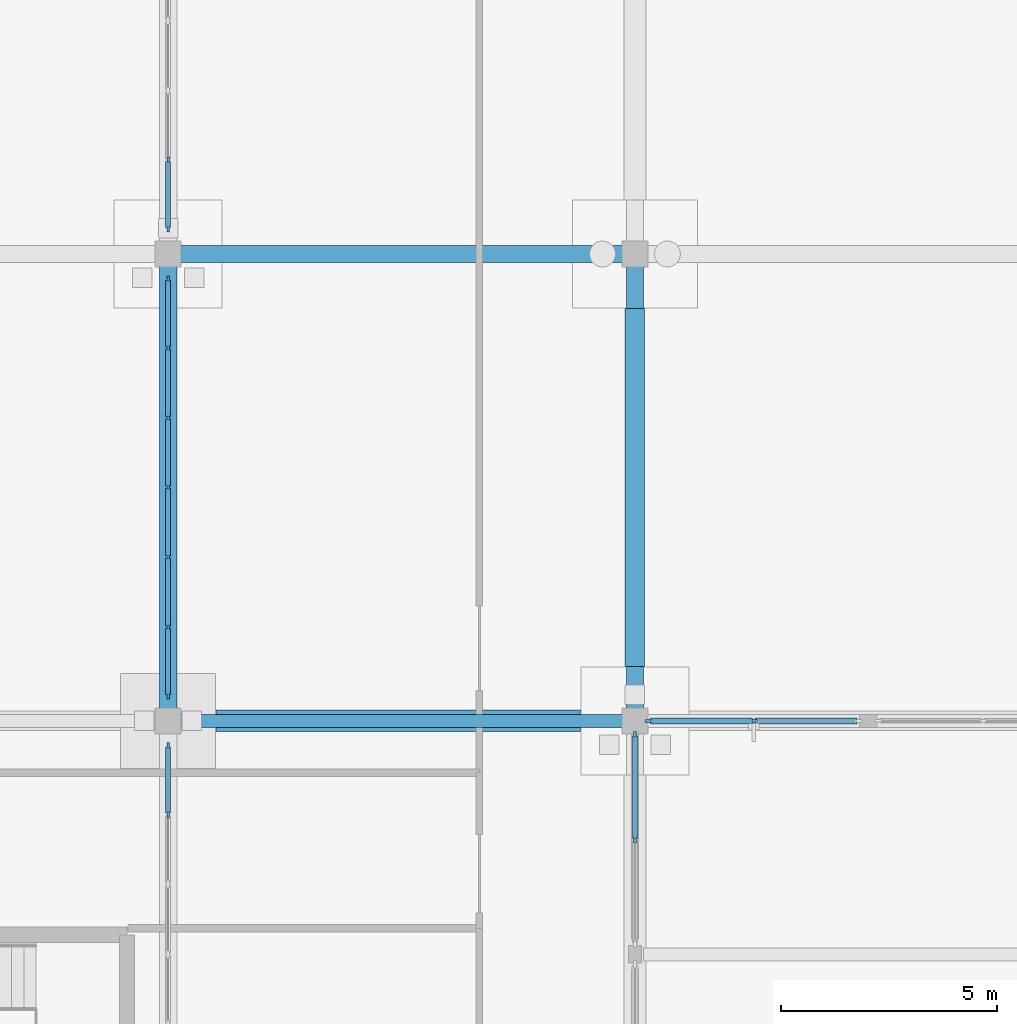
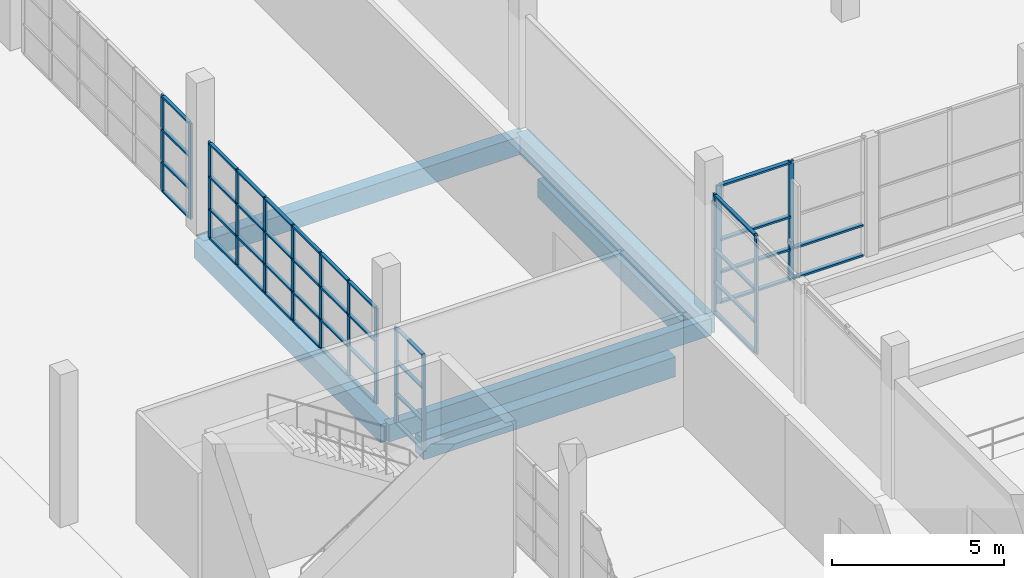
# One storey, part 43 of 138: 57 members, 6 beams, 5 elements without a shape of their own.
"""IFC4 building model written with IfcOpenShell, lengths in metres."""

from ifc_helpers import new_model, si_unit, direction, frame, origin, origin_2d, place, context, subcontext, project, spatial, rectangle, extrude, material, material_profile, profile_set, type_object, element, aggregate, save


model = new_model("IFC4")

# Units and contexts
model_context = context("Model", 3, precision=1e-05, world=origin(), true_north=direction((0.0, 1.0)))
body_context = subcontext(model_context, "Body", "Model", "MODEL_VIEW")
ifc_project = project(units=[si_unit("LENGTHUNIT", "METRE"), si_unit("AREAUNIT", "SQUARE_METRE"), si_unit("VOLUMEUNIT", "CUBIC_METRE"), si_unit("PLANEANGLEUNIT", "RADIAN"), si_unit("MASSUNIT", "GRAM", prefix="KILO")], contexts=[model_context])

# Site, building, storey
site_placement = place(None, origin())
site = spatial("IfcSite", under=ifc_project, at=site_placement, CompositionType="ELEMENT")
building_placement = place(site_placement, origin())
building = spatial("IfcBuilding", under=site, at=building_placement, Name="Zwinboog Wholesale Market", CompositionType="ELEMENT")
storey_placement = place(building_placement, origin())
storey = spatial("IfcBuildingStorey", under=building, at=storey_placement, Name="L00", CompositionType="ELEMENT", Elevation=0.0)

# Beams
ifc_material_1 = material(Name="Precast concrete C45/55", Category="concrete")
ifc_material_profile_1 = material_profile(ifc_material_1, rectangle(XDim=0.39990234375, YDim=0.64990234375, at=origin_2d()), Name="PC 400x650")
ifc_profile_set_1 = profile_set([ifc_material_profile_1], Name="Precast concrete C45/55")
beam_type_1 = type_object("IfcBeamType", Name="BT-05", PredefinedType="BEAM", material=ifc_profile_set_1)
for number, where, z_axis, x_axis, name in (
    (1, (32.39990234375, 75.60009765625, -0.6669921875), (1.0, 0.0, 0.0), (0.0, 1.0, 0.0), "BG-05 (BMG-L00-0324-0756-0102)"),
    (2, (32.39990234375, 64.800048828125, -0.6669921875), (0.0, 1.0, 0.0), (-1.0, 0.0, 0.0), "BG-05 (BMG-L00-0324-0648-0253)"),
    (3, (43.199951171875, 64.800048828125, -0.6669921875), (0.0, 1.0, 0.0), (-1.0, 0.0, 0.0), "BG-05 (BMG-L00-0432-0648-0265)"),
):
    element("IfcBeam", number, at=place(storey_placement, frame(where, z_axis=z_axis, x_axis=x_axis)), inside=storey, type_object=beam_type_1, Name=name, PredefinedType="BEAM", context=body_context, shape_type="SweptSolid", body=[
        extrude(rectangle(XDim=0.39990234375, YDim=0.64990234375, at=origin_2d()), origin(), (0.0, 0.0, 1.0), 10.800048828125),
    ])
ifc_material_profile_2 = material_profile(ifc_material_1, rectangle(XDim=0.300048828125, YDim=0.60009765625, at=origin_2d()), Name="PC 300x600")
ifc_profile_set_2 = profile_set([ifc_material_profile_2], Name="Precast concrete C45/55")
beam_type_2 = type_object("IfcBeamType", Name="BT-09", PredefinedType="SPANDREL", material=ifc_profile_set_2)
beam_1_placement = place(storey_placement, frame((32.39990234375, 64.800048828125, -0.64208984375), z_axis=(1.0, 0.0, 0.0), x_axis=(0.0, 1.0, 0.0)))
element("IfcBeam", 4, at=beam_1_placement, inside=storey, type_object=beam_type_2, Name="SP-02 (BMG-L00-0324-0648-0086)", PredefinedType="SPANDREL", context=body_context, shape_type="SweptSolid", body=[
    extrude(rectangle(XDim=0.300048828125, YDim=0.60009765625, at=origin_2d()), origin(), (0.0, 0.0, 1.0), 10.800048828125),
])
ifc_material_2 = material(Name="Concrete C35/45", Category="concrete")
ifc_material_profile_3 = material_profile(ifc_material_2, rectangle(XDim=0.5, YDim=0.699951171875, at=origin_2d()), Name="RC 500x700")
ifc_profile_set_3 = profile_set([ifc_material_profile_3], Name="Concrete C35/45")
beam_type_3 = type_object("IfcBeamType", Name="BT-12", PredefinedType="USERDEFINED", material=ifc_profile_set_3)
beam_2_placement = place(storey_placement, frame((33.5048828125, 64.800048828125, -1.550048828125), z_axis=(1.0, 0.0, 0.0), x_axis=(0.0, 1.0, 0.0)))
element("IfcBeam", 5, at=beam_2_placement, inside=storey, type_object=beam_type_3, Name="GB-01 (BM-GB-0053)", ObjectType="GROUND_BEAM", PredefinedType="USERDEFINED", context=body_context, shape_type="SweptSolid", body=[
    extrude(rectangle(XDim=0.5, YDim=0.699951171875, at=origin_2d()), origin(), (0.0, 0.0, 1.0), 8.440185546875),
])
ifc_material_profile_4 = material_profile(ifc_material_2, rectangle(XDim=0.449951171875, YDim=0.64990234375, at=origin_2d()), Name="RC 450x650")
ifc_profile_set_4 = profile_set([ifc_material_profile_4], Name="Concrete C35/45")
beam_type_4 = type_object("IfcBeamType", Name="BT-13", PredefinedType="USERDEFINED", material=ifc_profile_set_4)
beam_3_placement = place(storey_placement, frame((43.199951171875, 66.054931640625, -1.52490234375), z_axis=(0.0, 1.0, 0.0), x_axis=(-1.0, 0.0, 0.0)))
element("IfcBeam", 6, at=beam_3_placement, inside=storey, type_object=beam_type_4, Name="GB-02 (BM-GB-0145)", ObjectType="GROUND_BEAM", PredefinedType="USERDEFINED", context=body_context, shape_type="SweptSolid", body=[
    extrude(rectangle(XDim=0.449951171875, YDim=0.64990234375, at=origin_2d()), origin(), (0.0, 0.0, 1.0), 8.2900390625),
])

# Curtain wall, members
ifc_material_3 = material(Name="Aluminium thermally broken curtain wall", Category="aluminium")
curtain_wall_type_1 = type_object("IfcCurtainWallType", Name="CWT-HALL-24", PredefinedType="USERDEFINED", material=ifc_material_3)
curtain_wall_1_placement = place(storey_placement, origin())
curtain_wall_1 = element("IfcCurtainWall", 7, at=curtain_wall_1_placement, inside=storey, type_object=curtain_wall_type_1, Name="CW-03 (CW-L00-027)", ObjectType="UNITIZED_CURTAIN_WALL", PredefinedType="USERDEFINED")
ifc_material_4 = material(Name="Aluminium EN AW-6060", Category="aluminium")
ifc_material_profile_5 = material_profile(ifc_material_4, rectangle(XDim=0.06494140625, YDim=0.179931640625, at=origin_2d()), Name="AL 65x180")
ifc_profile_set_5 = profile_set([ifc_material_profile_5], Name="Aluminium EN AW-6060")
member_type_1 = type_object("IfcMemberType", Name="CWM-65x180", PredefinedType="MULLION", material=ifc_profile_set_5)
member_1_placement = place(storey_placement, frame((43.527587890625, 64.800048828125, 0.0), z_axis=(0.0, 0.0, 1.0), x_axis=(0.0, 1.0, 0.0)))
member_1 = element("IfcMember", 8, at=member_1_placement, type_object=member_type_1, Name="CW-03 mullion 1", PredefinedType="MULLION", context=body_context, shape_type="SweptSolid", body=[
    extrude(rectangle(XDim=0.06494140625, YDim=0.179931640625, at=origin_2d()), origin(), (0.0, 0.0, 1.0), 4.197998046875),
])
member_2_placement = place(storey_placement, frame((45.947509765625, 64.800048828125, 0.0), z_axis=(0.0, 0.0, 1.0), x_axis=(0.0, 1.0, 0.0)))
member_2 = element("IfcMember", 9, at=member_2_placement, type_object=member_type_1, Name="CW-03 mullion 2", PredefinedType="MULLION", context=body_context, shape_type="SweptSolid", body=[
    extrude(rectangle(XDim=0.06494140625, YDim=0.179931640625, at=origin_2d()), origin(), (0.0, 0.0, 1.0), 4.197998046875),
])

curtain_wall_type_2 = type_object("IfcCurtainWallType", Name="CWT-STALL-20", PredefinedType="USERDEFINED", material=ifc_material_3)
curtain_wall_2_placement = place(storey_placement, origin())
curtain_wall_2 = element("IfcCurtainWall", 10, at=curtain_wall_2_placement, inside=storey, type_object=curtain_wall_type_2, Name="CW-02 (CW-L00-026)", ObjectType="STOREFRONT_GLAZING", PredefinedType="USERDEFINED")
ifc_material_profile_6 = material_profile(ifc_material_4, rectangle(XDim=0.06005859375, YDim=0.14990234375, at=origin_2d()), Name="AL 60x150")
ifc_profile_set_6 = profile_set([ifc_material_profile_6], Name="Aluminium EN AW-6060")
member_type_2 = type_object("IfcMemberType", Name="CWM-60x150", PredefinedType="MULLION", material=ifc_profile_set_6)
member_3_placement = place(storey_placement, frame((43.199951171875, 62.052490234375, 0.0), z_axis=(0.0, 0.0, 1.0), x_axis=(-1.0, 0.0, 0.0)))
member_3 = element("IfcMember", 11, at=member_3_placement, type_object=member_type_2, Name="CW-02 mullion 2", PredefinedType="MULLION", context=body_context, shape_type="SweptSolid", body=[
    extrude(rectangle(XDim=0.06005859375, YDim=0.14990234375, at=origin_2d()), origin(), (0.0, 0.0, 1.0), 4.197998046875),
])
member_4_placement = place(storey_placement, frame((43.199951171875, 64.47509765625, 0.0), z_axis=(0.0, 0.0, 1.0), x_axis=(-1.0, 0.0, 0.0)))
member_4 = element("IfcMember", 12, at=member_4_placement, type_object=member_type_2, Name="CW-02 mullion 3", PredefinedType="MULLION", context=body_context, shape_type="SweptSolid", body=[
    extrude(rectangle(XDim=0.06005859375, YDim=0.14990234375, at=origin_2d()), origin(), (0.0, 0.0, 1.0), 4.197998046875),
])

# Member
ifc_material_profile_7 = material_profile(ifc_material_4, rectangle(XDim=0.139892578125, YDim=0.06494140625, at=origin_2d()), Name="AL 65x140")
ifc_profile_set_7 = profile_set([ifc_material_profile_7], Name="Aluminium EN AW-6060")
member_type_3 = type_object("IfcMemberType", Name="CWT-65x140", PredefinedType="USERDEFINED", material=ifc_profile_set_7)
member_5_placement = place(storey_placement, frame((43.56005859375, 64.800048828125, 0.032470703125), z_axis=(1.0, 0.0, 0.0), x_axis=(0.0, 1.0, 0.0)))
member_5 = element("IfcMember", 13, at=member_5_placement, type_object=member_type_3, Name="CW-03 transom 1.1", ObjectType="TRANSOM", PredefinedType="USERDEFINED", context=body_context, shape_type="SweptSolid", body=[
    extrude(rectangle(XDim=0.139892578125, YDim=0.06494140625, at=origin_2d()), origin(), (0.0, 0.0, 1.0), 2.35498046875),
])

member_6_placement = place(storey_placement, frame((43.56005859375, 64.800048828125, 1.10009765625), z_axis=(1.0, 0.0, 0.0), x_axis=(0.0, 1.0, 0.0)))
member_6 = element("IfcMember", 14, at=member_6_placement, type_object=member_type_3, Name="CW-03 transom 1.2", ObjectType="TRANSOM", PredefinedType="USERDEFINED", context=body_context, shape_type="SweptSolid", body=[
    extrude(rectangle(XDim=0.139892578125, YDim=0.06494140625, at=origin_2d()), origin(), (0.0, 0.0, 1.0), 2.35498046875),
])

member_7_placement = place(storey_placement, frame((43.56005859375, 64.800048828125, 2.25), z_axis=(1.0, 0.0, 0.0), x_axis=(0.0, 1.0, 0.0)))
member_7 = element("IfcMember", 15, at=member_7_placement, type_object=member_type_3, Name="CW-03 transom 1.3", ObjectType="TRANSOM", PredefinedType="USERDEFINED", context=body_context, shape_type="SweptSolid", body=[
    extrude(rectangle(XDim=0.139892578125, YDim=0.06494140625, at=origin_2d()), origin(), (0.0, 0.0, 1.0), 2.35498046875),
])

member_8_placement = place(storey_placement, frame((43.56005859375, 64.800048828125, 4.16552734375), z_axis=(1.0, 0.0, 0.0), x_axis=(0.0, 1.0, 0.0)))
member_8 = element("IfcMember", 16, at=member_8_placement, type_object=member_type_3, Name="CW-03 transom 1.4", ObjectType="TRANSOM", PredefinedType="USERDEFINED", context=body_context, shape_type="SweptSolid", body=[
    extrude(rectangle(XDim=0.139892578125, YDim=0.06494140625, at=origin_2d()), origin(), (0.0, 0.0, 1.0), 2.35498046875),
])

member_9_placement = place(storey_placement, frame((45.97998046875, 64.800048828125, 0.032470703125), z_axis=(1.0, 0.0, 0.0), x_axis=(0.0, 1.0, 0.0)))
member_9 = element("IfcMember", 17, at=member_9_placement, type_object=member_type_3, Name="CW-03 transom 2.1", ObjectType="TRANSOM", PredefinedType="USERDEFINED", context=body_context, shape_type="SweptSolid", body=[
    extrude(rectangle(XDim=0.139892578125, YDim=0.06494140625, at=origin_2d()), origin(), (0.0, 0.0, 1.0), 2.35498046875),
])

member_10_placement = place(storey_placement, frame((45.97998046875, 64.800048828125, 1.10009765625), z_axis=(1.0, 0.0, 0.0), x_axis=(0.0, 1.0, 0.0)))
member_10 = element("IfcMember", 18, at=member_10_placement, type_object=member_type_3, Name="CW-03 transom 2.2", ObjectType="TRANSOM", PredefinedType="USERDEFINED", context=body_context, shape_type="SweptSolid", body=[
    extrude(rectangle(XDim=0.139892578125, YDim=0.06494140625, at=origin_2d()), origin(), (0.0, 0.0, 1.0), 2.35498046875),
])

aggregate(curtain_wall_1, [member_1, member_2, member_5, member_6, member_7, member_8, member_9, member_10])

ifc_material_profile_8 = material_profile(ifc_material_4, rectangle(XDim=0.110107421875, YDim=0.06005859375, at=origin_2d()), Name="AL 60x110")
ifc_profile_set_8 = profile_set([ifc_material_profile_8], Name="Aluminium EN AW-6060")
member_type_4 = type_object("IfcMemberType", Name="CWT-60x110", PredefinedType="USERDEFINED", material=ifc_profile_set_8)
member_11_placement = place(storey_placement, frame((43.199951171875, 62.08251953125, 0.030029296875), z_axis=(0.0, 1.0, 0.0), x_axis=(-1.0, 0.0, 0.0)))
member_11 = element("IfcMember", 19, at=member_11_placement, type_object=member_type_4, Name="CW-02 transom 2.1", ObjectType="TRANSOM", PredefinedType="USERDEFINED", context=body_context, shape_type="SweptSolid", body=[
    extrude(rectangle(XDim=0.110107421875, YDim=0.06005859375, at=origin_2d()), origin(), (0.0, 0.0, 1.0), 2.362548828125),
])

member_12_placement = place(storey_placement, frame((43.199951171875, 62.08251953125, 1.10009765625), z_axis=(0.0, 1.0, 0.0), x_axis=(-1.0, 0.0, 0.0)))
member_12 = element("IfcMember", 20, at=member_12_placement, type_object=member_type_4, Name="CW-02 transom 2.2", ObjectType="TRANSOM", PredefinedType="USERDEFINED", context=body_context, shape_type="SweptSolid", body=[
    extrude(rectangle(XDim=0.110107421875, YDim=0.06005859375, at=origin_2d()), origin(), (0.0, 0.0, 1.0), 2.362548828125),
])

member_13_placement = place(storey_placement, frame((43.199951171875, 62.08251953125, 2.25), z_axis=(0.0, 1.0, 0.0), x_axis=(-1.0, 0.0, 0.0)))
member_13 = element("IfcMember", 21, at=member_13_placement, type_object=member_type_4, Name="CW-02 transom 2.3", ObjectType="TRANSOM", PredefinedType="USERDEFINED", context=body_context, shape_type="SweptSolid", body=[
    extrude(rectangle(XDim=0.110107421875, YDim=0.06005859375, at=origin_2d()), origin(), (0.0, 0.0, 1.0), 2.362548828125),
])

member_14_placement = place(storey_placement, frame((43.199951171875, 62.08251953125, 4.16796875), z_axis=(0.0, 1.0, 0.0), x_axis=(-1.0, 0.0, 0.0)))
member_14 = element("IfcMember", 22, at=member_14_placement, type_object=member_type_4, Name="CW-02 transom 2.4", ObjectType="TRANSOM", PredefinedType="USERDEFINED", context=body_context, shape_type="SweptSolid", body=[
    extrude(rectangle(XDim=0.110107421875, YDim=0.06005859375, at=origin_2d()), origin(), (0.0, 0.0, 1.0), 2.362548828125),
])

aggregate(curtain_wall_2, [member_3, member_4, member_11, member_12, member_13, member_14])

# Curtain wall, members
curtain_wall_type_3 = type_object("IfcCurtainWallType", Name="CWT-INT-STALL", PredefinedType="USERDEFINED", material=ifc_material_3)
curtain_wall_3_placement = place(storey_placement, origin())
curtain_wall_3 = element("IfcCurtainWall", 23, at=curtain_wall_3_placement, inside=storey, type_object=curtain_wall_type_3, Name="CW-07 (CW-STL-222)", ObjectType="STOREFRONT_GLAZING", PredefinedType="USERDEFINED")
ifc_material_profile_9 = material_profile(ifc_material_4, rectangle(XDim=0.06005859375, YDim=0.14990234375, at=origin_2d()), Name="AL 60x150")
ifc_profile_set_9 = profile_set([ifc_material_profile_9], Name="Aluminium EN AW-6060")
member_type_5 = type_object("IfcMemberType", Name="CWM-INT-60x120", PredefinedType="MULLION", material=ifc_profile_set_9)
member_15_placement = place(storey_placement, frame((32.39990234375, 62.63330078125, 0.0), z_axis=(0.0, 0.0, 1.0), x_axis=(-1.0, 0.0, 0.0)))
member_15 = element("IfcMember", 24, at=member_15_placement, type_object=member_type_5, Name="CW-07 mullion 6", PredefinedType="MULLION", context=body_context, shape_type="SweptSolid", body=[
    extrude(rectangle(XDim=0.06005859375, YDim=0.14990234375, at=origin_2d()), origin(), (0.0, 0.0, 1.0), 3.39990234375),
])
member_16_placement = place(storey_placement, frame((32.39990234375, 64.219970703125, 0.0), z_axis=(0.0, 0.0, 1.0), x_axis=(-1.0, 0.0, 0.0)))
member_16 = element("IfcMember", 25, at=member_16_placement, type_object=member_type_5, Name="CW-07 mullion 7", PredefinedType="MULLION", context=body_context, shape_type="SweptSolid", body=[
    extrude(rectangle(XDim=0.06005859375, YDim=0.14990234375, at=origin_2d()), origin(), (0.0, 0.0, 1.0), 3.39990234375),
])

curtain_wall_4_placement = place(storey_placement, origin())
curtain_wall_4 = element("IfcCurtainWall", 26, at=curtain_wall_4_placement, inside=storey, type_object=curtain_wall_type_3, Name="CW-07 (CW-STL-223)", ObjectType="STOREFRONT_GLAZING", PredefinedType="USERDEFINED")
member_17_placement = place(storey_placement, frame((32.39990234375, 65.3798828125, 0.0), z_axis=(0.0, 0.0, 1.0), x_axis=(-1.0, 0.0, 0.0)))
member_17 = element("IfcMember", 27, at=member_17_placement, type_object=member_type_5, Name="CW-07 mullion 1", PredefinedType="MULLION", context=body_context, shape_type="SweptSolid", body=[
    extrude(rectangle(XDim=0.06005859375, YDim=0.14990234375, at=origin_2d()), origin(), (0.0, 0.0, 1.0), 3.39990234375),
])
member_18_placement = place(storey_placement, frame((32.39990234375, 66.966552734375, 0.0), z_axis=(0.0, 0.0, 1.0), x_axis=(-1.0, 0.0, 0.0)))
member_18 = element("IfcMember", 28, at=member_18_placement, type_object=member_type_5, Name="CW-07 mullion 2", PredefinedType="MULLION", context=body_context, shape_type="SweptSolid", body=[
    extrude(rectangle(XDim=0.06005859375, YDim=0.14990234375, at=origin_2d()), origin(), (0.0, 0.0, 1.0), 3.39990234375),
])
member_19_placement = place(storey_placement, frame((32.39990234375, 68.583251953125, 0.0), z_axis=(0.0, 0.0, 1.0), x_axis=(-1.0, 0.0, 0.0)))
member_19 = element("IfcMember", 29, at=member_19_placement, type_object=member_type_5, Name="CW-07 mullion 3", PredefinedType="MULLION", context=body_context, shape_type="SweptSolid", body=[
    extrude(rectangle(XDim=0.06005859375, YDim=0.14990234375, at=origin_2d()), origin(), (0.0, 0.0, 1.0), 3.39990234375),
])
member_20_placement = place(storey_placement, frame((32.39990234375, 70.199951171875, 0.0), z_axis=(0.0, 0.0, 1.0), x_axis=(-1.0, 0.0, 0.0)))
member_20 = element("IfcMember", 30, at=member_20_placement, type_object=member_type_5, Name="CW-07 mullion 4", PredefinedType="MULLION", context=body_context, shape_type="SweptSolid", body=[
    extrude(rectangle(XDim=0.06005859375, YDim=0.14990234375, at=origin_2d()), origin(), (0.0, 0.0, 1.0), 3.39990234375),
])
member_21_placement = place(storey_placement, frame((32.39990234375, 71.816650390625, 0.0), z_axis=(0.0, 0.0, 1.0), x_axis=(-1.0, 0.0, 0.0)))
member_21 = element("IfcMember", 31, at=member_21_placement, type_object=member_type_5, Name="CW-07 mullion 5", PredefinedType="MULLION", context=body_context, shape_type="SweptSolid", body=[
    extrude(rectangle(XDim=0.06005859375, YDim=0.14990234375, at=origin_2d()), origin(), (0.0, 0.0, 1.0), 3.39990234375),
])
member_22_placement = place(storey_placement, frame((32.39990234375, 73.433349609375, 0.0), z_axis=(0.0, 0.0, 1.0), x_axis=(-1.0, 0.0, 0.0)))
member_22 = element("IfcMember", 32, at=member_22_placement, type_object=member_type_5, Name="CW-07 mullion 6", PredefinedType="MULLION", context=body_context, shape_type="SweptSolid", body=[
    extrude(rectangle(XDim=0.06005859375, YDim=0.14990234375, at=origin_2d()), origin(), (0.0, 0.0, 1.0), 3.39990234375),
])
member_23_placement = place(storey_placement, frame((32.39990234375, 75.02001953125, 0.0), z_axis=(0.0, 0.0, 1.0), x_axis=(-1.0, 0.0, 0.0)))
member_23 = element("IfcMember", 33, at=member_23_placement, type_object=member_type_5, Name="CW-07 mullion 7", PredefinedType="MULLION", context=body_context, shape_type="SweptSolid", body=[
    extrude(rectangle(XDim=0.06005859375, YDim=0.14990234375, at=origin_2d()), origin(), (0.0, 0.0, 1.0), 3.39990234375),
])

curtain_wall_5_placement = place(storey_placement, origin())
curtain_wall_5 = element("IfcCurtainWall", 34, at=curtain_wall_5_placement, inside=storey, type_object=curtain_wall_type_3, Name="CW-07 (CW-STL-224)", ObjectType="STOREFRONT_GLAZING", PredefinedType="USERDEFINED")
member_24_placement = place(storey_placement, frame((32.39990234375, 76.179931640625, 0.0), z_axis=(0.0, 0.0, 1.0), x_axis=(-1.0, 0.0, 0.0)))
member_24 = element("IfcMember", 35, at=member_24_placement, type_object=member_type_5, Name="CW-07 mullion 1", PredefinedType="MULLION", context=body_context, shape_type="SweptSolid", body=[
    extrude(rectangle(XDim=0.06005859375, YDim=0.14990234375, at=origin_2d()), origin(), (0.0, 0.0, 1.0), 3.39990234375),
])
member_25_placement = place(storey_placement, frame((32.39990234375, 77.7666015625, 0.0), z_axis=(0.0, 0.0, 1.0), x_axis=(-1.0, 0.0, 0.0)))
member_25 = element("IfcMember", 36, at=member_25_placement, type_object=member_type_5, Name="CW-07 mullion 2", PredefinedType="MULLION", context=body_context, shape_type="SweptSolid", body=[
    extrude(rectangle(XDim=0.06005859375, YDim=0.14990234375, at=origin_2d()), origin(), (0.0, 0.0, 1.0), 3.39990234375),
])

# Member
ifc_material_profile_10 = material_profile(ifc_material_4, rectangle(XDim=0.110107421875, YDim=0.06005859375, at=origin_2d()), Name="AL 60x110")
ifc_profile_set_10 = profile_set([ifc_material_profile_10], Name="Aluminium EN AW-6060")
member_type_6 = type_object("IfcMemberType", Name="CWT-INT-60x100", PredefinedType="USERDEFINED", material=ifc_profile_set_10)
member_26_placement = place(storey_placement, frame((32.39990234375, 62.663330078125, 0.030029296875), z_axis=(0.0, 1.0, 0.0), x_axis=(-1.0, 0.0, 0.0)))
member_26 = element("IfcMember", 37, at=member_26_placement, type_object=member_type_6, Name="CW-07 transom 6.1", ObjectType="TRANSOM", PredefinedType="USERDEFINED", context=body_context, shape_type="SweptSolid", body=[
    extrude(rectangle(XDim=0.110107421875, YDim=0.06005859375, at=origin_2d()), origin(), (0.0, 0.0, 1.0), 1.526611328125),
])

member_27_placement = place(storey_placement, frame((32.39990234375, 62.663330078125, 1.050048828125), z_axis=(0.0, 1.0, 0.0), x_axis=(-1.0, 0.0, 0.0)))
member_27 = element("IfcMember", 38, at=member_27_placement, type_object=member_type_6, Name="CW-07 transom 6.2", ObjectType="TRANSOM", PredefinedType="USERDEFINED", context=body_context, shape_type="SweptSolid", body=[
    extrude(rectangle(XDim=0.110107421875, YDim=0.06005859375, at=origin_2d()), origin(), (0.0, 0.0, 1.0), 1.526611328125),
])

member_28_placement = place(storey_placement, frame((32.39990234375, 62.663330078125, 2.199951171875), z_axis=(0.0, 1.0, 0.0), x_axis=(-1.0, 0.0, 0.0)))
member_28 = element("IfcMember", 39, at=member_28_placement, type_object=member_type_6, Name="CW-07 transom 6.3", ObjectType="TRANSOM", PredefinedType="USERDEFINED", context=body_context, shape_type="SweptSolid", body=[
    extrude(rectangle(XDim=0.110107421875, YDim=0.06005859375, at=origin_2d()), origin(), (0.0, 0.0, 1.0), 1.526611328125),
])

member_29_placement = place(storey_placement, frame((32.39990234375, 62.663330078125, 3.3701171875), z_axis=(0.0, 1.0, 0.0), x_axis=(-1.0, 0.0, 0.0)))
member_29 = element("IfcMember", 40, at=member_29_placement, type_object=member_type_6, Name="CW-07 transom 6.4", ObjectType="TRANSOM", PredefinedType="USERDEFINED", context=body_context, shape_type="SweptSolid", body=[
    extrude(rectangle(XDim=0.110107421875, YDim=0.06005859375, at=origin_2d()), origin(), (0.0, 0.0, 1.0), 1.526611328125),
])

aggregate(curtain_wall_3, [member_15, member_16, member_26, member_27, member_28, member_29])

member_30_placement = place(storey_placement, frame((32.39990234375, 65.409912109375, 0.030029296875), z_axis=(0.0, 1.0, 0.0), x_axis=(-1.0, 0.0, 0.0)))
member_30 = element("IfcMember", 41, at=member_30_placement, type_object=member_type_6, Name="CW-07 transom 1.1", ObjectType="TRANSOM", PredefinedType="USERDEFINED", context=body_context, shape_type="SweptSolid", body=[
    extrude(rectangle(XDim=0.110107421875, YDim=0.06005859375, at=origin_2d()), origin(), (0.0, 0.0, 1.0), 1.52685546875),
])

member_31_placement = place(storey_placement, frame((32.39990234375, 65.409912109375, 1.050048828125), z_axis=(0.0, 1.0, 0.0), x_axis=(-1.0, 0.0, 0.0)))
member_31 = element("IfcMember", 42, at=member_31_placement, type_object=member_type_6, Name="CW-07 transom 1.2", ObjectType="TRANSOM", PredefinedType="USERDEFINED", context=body_context, shape_type="SweptSolid", body=[
    extrude(rectangle(XDim=0.110107421875, YDim=0.06005859375, at=origin_2d()), origin(), (0.0, 0.0, 1.0), 1.52685546875),
])

member_32_placement = place(storey_placement, frame((32.39990234375, 65.409912109375, 2.199951171875), z_axis=(0.0, 1.0, 0.0), x_axis=(-1.0, 0.0, 0.0)))
member_32 = element("IfcMember", 43, at=member_32_placement, type_object=member_type_6, Name="CW-07 transom 1.3", ObjectType="TRANSOM", PredefinedType="USERDEFINED", context=body_context, shape_type="SweptSolid", body=[
    extrude(rectangle(XDim=0.110107421875, YDim=0.06005859375, at=origin_2d()), origin(), (0.0, 0.0, 1.0), 1.52685546875),
])

member_33_placement = place(storey_placement, frame((32.39990234375, 65.409912109375, 3.3701171875), z_axis=(0.0, 1.0, 0.0), x_axis=(-1.0, 0.0, 0.0)))
member_33 = element("IfcMember", 44, at=member_33_placement, type_object=member_type_6, Name="CW-07 transom 1.4", ObjectType="TRANSOM", PredefinedType="USERDEFINED", context=body_context, shape_type="SweptSolid", body=[
    extrude(rectangle(XDim=0.110107421875, YDim=0.06005859375, at=origin_2d()), origin(), (0.0, 0.0, 1.0), 1.52685546875),
])

member_34_placement = place(storey_placement, frame((32.39990234375, 66.99658203125, 0.030029296875), z_axis=(0.0, 1.0, 0.0), x_axis=(-1.0, 0.0, 0.0)))
member_34 = element("IfcMember", 45, at=member_34_placement, type_object=member_type_6, Name="CW-07 transom 2.1", ObjectType="TRANSOM", PredefinedType="USERDEFINED", context=body_context, shape_type="SweptSolid", body=[
    extrude(rectangle(XDim=0.110107421875, YDim=0.06005859375, at=origin_2d()), origin(), (0.0, 0.0, 1.0), 1.556640625),
])

member_35_placement = place(storey_placement, frame((32.39990234375, 66.99658203125, 1.050048828125), z_axis=(0.0, 1.0, 0.0), x_axis=(-1.0, 0.0, 0.0)))
member_35 = element("IfcMember", 46, at=member_35_placement, type_object=member_type_6, Name="CW-07 transom 2.2", ObjectType="TRANSOM", PredefinedType="USERDEFINED", context=body_context, shape_type="SweptSolid", body=[
    extrude(rectangle(XDim=0.110107421875, YDim=0.06005859375, at=origin_2d()), origin(), (0.0, 0.0, 1.0), 1.556640625),
])

member_36_placement = place(storey_placement, frame((32.39990234375, 66.99658203125, 2.199951171875), z_axis=(0.0, 1.0, 0.0), x_axis=(-1.0, 0.0, 0.0)))
member_36 = element("IfcMember", 47, at=member_36_placement, type_object=member_type_6, Name="CW-07 transom 2.3", ObjectType="TRANSOM", PredefinedType="USERDEFINED", context=body_context, shape_type="SweptSolid", body=[
    extrude(rectangle(XDim=0.110107421875, YDim=0.06005859375, at=origin_2d()), origin(), (0.0, 0.0, 1.0), 1.556640625),
])

member_37_placement = place(storey_placement, frame((32.39990234375, 66.99658203125, 3.3701171875), z_axis=(0.0, 1.0, 0.0), x_axis=(-1.0, 0.0, 0.0)))
member_37 = element("IfcMember", 48, at=member_37_placement, type_object=member_type_6, Name="CW-07 transom 2.4", ObjectType="TRANSOM", PredefinedType="USERDEFINED", context=body_context, shape_type="SweptSolid", body=[
    extrude(rectangle(XDim=0.110107421875, YDim=0.06005859375, at=origin_2d()), origin(), (0.0, 0.0, 1.0), 1.556640625),
])

member_38_placement = place(storey_placement, frame((32.39990234375, 68.61328125, 0.030029296875), z_axis=(0.0, 1.0, 0.0), x_axis=(-1.0, 0.0, 0.0)))
member_38 = element("IfcMember", 49, at=member_38_placement, type_object=member_type_6, Name="CW-07 transom 3.1", ObjectType="TRANSOM", PredefinedType="USERDEFINED", context=body_context, shape_type="SweptSolid", body=[
    extrude(rectangle(XDim=0.110107421875, YDim=0.06005859375, at=origin_2d()), origin(), (0.0, 0.0, 1.0), 1.556640625),
])

member_39_placement = place(storey_placement, frame((32.39990234375, 68.61328125, 1.050048828125), z_axis=(0.0, 1.0, 0.0), x_axis=(-1.0, 0.0, 0.0)))
member_39 = element("IfcMember", 50, at=member_39_placement, type_object=member_type_6, Name="CW-07 transom 3.2", ObjectType="TRANSOM", PredefinedType="USERDEFINED", context=body_context, shape_type="SweptSolid", body=[
    extrude(rectangle(XDim=0.110107421875, YDim=0.06005859375, at=origin_2d()), origin(), (0.0, 0.0, 1.0), 1.556640625),
])

member_40_placement = place(storey_placement, frame((32.39990234375, 68.61328125, 2.199951171875), z_axis=(0.0, 1.0, 0.0), x_axis=(-1.0, 0.0, 0.0)))
member_40 = element("IfcMember", 51, at=member_40_placement, type_object=member_type_6, Name="CW-07 transom 3.3", ObjectType="TRANSOM", PredefinedType="USERDEFINED", context=body_context, shape_type="SweptSolid", body=[
    extrude(rectangle(XDim=0.110107421875, YDim=0.06005859375, at=origin_2d()), origin(), (0.0, 0.0, 1.0), 1.556640625),
])

member_41_placement = place(storey_placement, frame((32.39990234375, 68.61328125, 3.3701171875), z_axis=(0.0, 1.0, 0.0), x_axis=(-1.0, 0.0, 0.0)))
member_41 = element("IfcMember", 52, at=member_41_placement, type_object=member_type_6, Name="CW-07 transom 3.4", ObjectType="TRANSOM", PredefinedType="USERDEFINED", context=body_context, shape_type="SweptSolid", body=[
    extrude(rectangle(XDim=0.110107421875, YDim=0.06005859375, at=origin_2d()), origin(), (0.0, 0.0, 1.0), 1.556640625),
])

member_42_placement = place(storey_placement, frame((32.39990234375, 70.22998046875, 0.030029296875), z_axis=(0.0, 1.0, 0.0), x_axis=(-1.0, 0.0, 0.0)))
member_42 = element("IfcMember", 53, at=member_42_placement, type_object=member_type_6, Name="CW-07 transom 4.1", ObjectType="TRANSOM", PredefinedType="USERDEFINED", context=body_context, shape_type="SweptSolid", body=[
    extrude(rectangle(XDim=0.110107421875, YDim=0.06005859375, at=origin_2d()), origin(), (0.0, 0.0, 1.0), 1.556640625),
])

member_43_placement = place(storey_placement, frame((32.39990234375, 70.22998046875, 1.050048828125), z_axis=(0.0, 1.0, 0.0), x_axis=(-1.0, 0.0, 0.0)))
member_43 = element("IfcMember", 54, at=member_43_placement, type_object=member_type_6, Name="CW-07 transom 4.2", ObjectType="TRANSOM", PredefinedType="USERDEFINED", context=body_context, shape_type="SweptSolid", body=[
    extrude(rectangle(XDim=0.110107421875, YDim=0.06005859375, at=origin_2d()), origin(), (0.0, 0.0, 1.0), 1.556640625),
])

member_44_placement = place(storey_placement, frame((32.39990234375, 70.22998046875, 2.199951171875), z_axis=(0.0, 1.0, 0.0), x_axis=(-1.0, 0.0, 0.0)))
member_44 = element("IfcMember", 55, at=member_44_placement, type_object=member_type_6, Name="CW-07 transom 4.3", ObjectType="TRANSOM", PredefinedType="USERDEFINED", context=body_context, shape_type="SweptSolid", body=[
    extrude(rectangle(XDim=0.110107421875, YDim=0.06005859375, at=origin_2d()), origin(), (0.0, 0.0, 1.0), 1.556640625),
])

member_45_placement = place(storey_placement, frame((32.39990234375, 70.22998046875, 3.3701171875), z_axis=(0.0, 1.0, 0.0), x_axis=(-1.0, 0.0, 0.0)))
member_45 = element("IfcMember", 56, at=member_45_placement, type_object=member_type_6, Name="CW-07 transom 4.4", ObjectType="TRANSOM", PredefinedType="USERDEFINED", context=body_context, shape_type="SweptSolid", body=[
    extrude(rectangle(XDim=0.110107421875, YDim=0.06005859375, at=origin_2d()), origin(), (0.0, 0.0, 1.0), 1.556640625),
])

member_46_placement = place(storey_placement, frame((32.39990234375, 71.8466796875, 0.030029296875), z_axis=(0.0, 1.0, 0.0), x_axis=(-1.0, 0.0, 0.0)))
member_46 = element("IfcMember", 57, at=member_46_placement, type_object=member_type_6, Name="CW-07 transom 5.1", ObjectType="TRANSOM", PredefinedType="USERDEFINED", context=body_context, shape_type="SweptSolid", body=[
    extrude(rectangle(XDim=0.110107421875, YDim=0.06005859375, at=origin_2d()), origin(), (0.0, 0.0, 1.0), 1.556640625),
])

member_47_placement = place(storey_placement, frame((32.39990234375, 71.8466796875, 1.050048828125), z_axis=(0.0, 1.0, 0.0), x_axis=(-1.0, 0.0, 0.0)))
member_47 = element("IfcMember", 58, at=member_47_placement, type_object=member_type_6, Name="CW-07 transom 5.2", ObjectType="TRANSOM", PredefinedType="USERDEFINED", context=body_context, shape_type="SweptSolid", body=[
    extrude(rectangle(XDim=0.110107421875, YDim=0.06005859375, at=origin_2d()), origin(), (0.0, 0.0, 1.0), 1.556640625),
])

member_48_placement = place(storey_placement, frame((32.39990234375, 71.8466796875, 2.199951171875), z_axis=(0.0, 1.0, 0.0), x_axis=(-1.0, 0.0, 0.0)))
member_48 = element("IfcMember", 59, at=member_48_placement, type_object=member_type_6, Name="CW-07 transom 5.3", ObjectType="TRANSOM", PredefinedType="USERDEFINED", context=body_context, shape_type="SweptSolid", body=[
    extrude(rectangle(XDim=0.110107421875, YDim=0.06005859375, at=origin_2d()), origin(), (0.0, 0.0, 1.0), 1.556640625),
])

member_49_placement = place(storey_placement, frame((32.39990234375, 71.8466796875, 3.3701171875), z_axis=(0.0, 1.0, 0.0), x_axis=(-1.0, 0.0, 0.0)))
member_49 = element("IfcMember", 60, at=member_49_placement, type_object=member_type_6, Name="CW-07 transom 5.4", ObjectType="TRANSOM", PredefinedType="USERDEFINED", context=body_context, shape_type="SweptSolid", body=[
    extrude(rectangle(XDim=0.110107421875, YDim=0.06005859375, at=origin_2d()), origin(), (0.0, 0.0, 1.0), 1.556640625),
])

member_50_placement = place(storey_placement, frame((32.39990234375, 73.46337890625, 0.030029296875), z_axis=(0.0, 1.0, 0.0), x_axis=(-1.0, 0.0, 0.0)))
member_50 = element("IfcMember", 61, at=member_50_placement, type_object=member_type_6, Name="CW-07 transom 6.1", ObjectType="TRANSOM", PredefinedType="USERDEFINED", context=body_context, shape_type="SweptSolid", body=[
    extrude(rectangle(XDim=0.110107421875, YDim=0.06005859375, at=origin_2d()), origin(), (0.0, 0.0, 1.0), 1.526611328125),
])

member_51_placement = place(storey_placement, frame((32.39990234375, 73.46337890625, 1.050048828125), z_axis=(0.0, 1.0, 0.0), x_axis=(-1.0, 0.0, 0.0)))
member_51 = element("IfcMember", 62, at=member_51_placement, type_object=member_type_6, Name="CW-07 transom 6.2", ObjectType="TRANSOM", PredefinedType="USERDEFINED", context=body_context, shape_type="SweptSolid", body=[
    extrude(rectangle(XDim=0.110107421875, YDim=0.06005859375, at=origin_2d()), origin(), (0.0, 0.0, 1.0), 1.526611328125),
])

member_52_placement = place(storey_placement, frame((32.39990234375, 73.46337890625, 2.199951171875), z_axis=(0.0, 1.0, 0.0), x_axis=(-1.0, 0.0, 0.0)))
member_52 = element("IfcMember", 63, at=member_52_placement, type_object=member_type_6, Name="CW-07 transom 6.3", ObjectType="TRANSOM", PredefinedType="USERDEFINED", context=body_context, shape_type="SweptSolid", body=[
    extrude(rectangle(XDim=0.110107421875, YDim=0.06005859375, at=origin_2d()), origin(), (0.0, 0.0, 1.0), 1.526611328125),
])

member_53_placement = place(storey_placement, frame((32.39990234375, 73.46337890625, 3.3701171875), z_axis=(0.0, 1.0, 0.0), x_axis=(-1.0, 0.0, 0.0)))
member_53 = element("IfcMember", 64, at=member_53_placement, type_object=member_type_6, Name="CW-07 transom 6.4", ObjectType="TRANSOM", PredefinedType="USERDEFINED", context=body_context, shape_type="SweptSolid", body=[
    extrude(rectangle(XDim=0.110107421875, YDim=0.06005859375, at=origin_2d()), origin(), (0.0, 0.0, 1.0), 1.526611328125),
])

aggregate(curtain_wall_4, [member_17, member_18, member_19, member_20, member_21, member_22, member_23, member_30, member_31, member_32, member_33, member_34, member_35, member_36, member_37, member_38, member_39, member_40, member_41, member_42, member_43, member_44, member_45, member_46, member_47, member_48, member_49, member_50, member_51, member_52, member_53])

member_54_placement = place(storey_placement, frame((32.39990234375, 76.2099609375, 0.030029296875), z_axis=(0.0, 1.0, 0.0), x_axis=(-1.0, 0.0, 0.0)))
member_54 = element("IfcMember", 65, at=member_54_placement, type_object=member_type_6, Name="CW-07 transom 1.1", ObjectType="TRANSOM", PredefinedType="USERDEFINED", context=body_context, shape_type="SweptSolid", body=[
    extrude(rectangle(XDim=0.110107421875, YDim=0.06005859375, at=origin_2d()), origin(), (0.0, 0.0, 1.0), 1.526611328125),
])

member_55_placement = place(storey_placement, frame((32.39990234375, 76.2099609375, 1.050048828125), z_axis=(0.0, 1.0, 0.0), x_axis=(-1.0, 0.0, 0.0)))
member_55 = element("IfcMember", 66, at=member_55_placement, type_object=member_type_6, Name="CW-07 transom 1.2", ObjectType="TRANSOM", PredefinedType="USERDEFINED", context=body_context, shape_type="SweptSolid", body=[
    extrude(rectangle(XDim=0.110107421875, YDim=0.06005859375, at=origin_2d()), origin(), (0.0, 0.0, 1.0), 1.526611328125),
])

member_56_placement = place(storey_placement, frame((32.39990234375, 76.2099609375, 2.199951171875), z_axis=(0.0, 1.0, 0.0), x_axis=(-1.0, 0.0, 0.0)))
member_56 = element("IfcMember", 67, at=member_56_placement, type_object=member_type_6, Name="CW-07 transom 1.3", ObjectType="TRANSOM", PredefinedType="USERDEFINED", context=body_context, shape_type="SweptSolid", body=[
    extrude(rectangle(XDim=0.110107421875, YDim=0.06005859375, at=origin_2d()), origin(), (0.0, 0.0, 1.0), 1.526611328125),
])

member_57_placement = place(storey_placement, frame((32.39990234375, 76.2099609375, 3.3701171875), z_axis=(0.0, 1.0, 0.0), x_axis=(-1.0, 0.0, 0.0)))
member_57 = element("IfcMember", 68, at=member_57_placement, type_object=member_type_6, Name="CW-07 transom 1.4", ObjectType="TRANSOM", PredefinedType="USERDEFINED", context=body_context, shape_type="SweptSolid", body=[
    extrude(rectangle(XDim=0.110107421875, YDim=0.06005859375, at=origin_2d()), origin(), (0.0, 0.0, 1.0), 1.526611328125),
])

aggregate(curtain_wall_5, [member_24, member_25, member_54, member_55, member_56, member_57])

save(model, "model.ifc")
